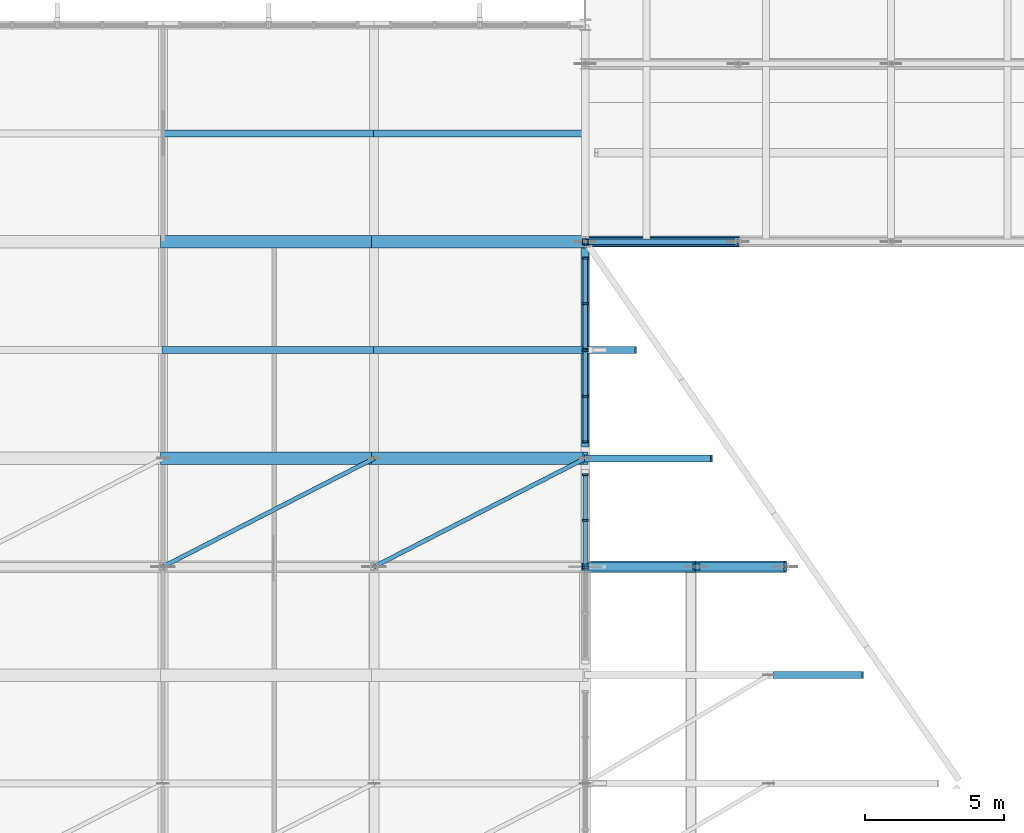
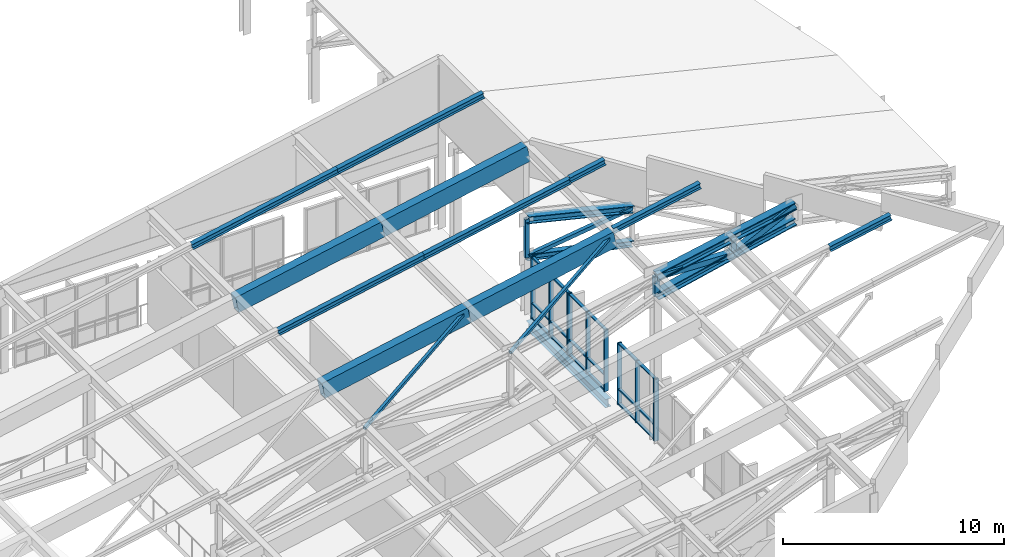
# One storey, part 30 of 73: 49 members, 5 beams, 4 elements without a shape of their own.
"""IFC4 building model written with IfcOpenShell, lengths in metres."""

import ifcopenshell
import ifcopenshell.guid

model = None  # the IFC model being written
_history = None  # IfcOwnerHistory: only IFC2X3 demands one
_inside = {}  # id of a spatial element -> (the spatial element, [elements in it])
_under = {}  # id of a project, library or spatial element -> (it, [spatial elements below it])
_declared = {}  # id of a project -> (the project, [libraries it declares])
_typed = {}  # id of a type object -> (the type object, [elements of that type])
_made_of = {}  # id of a material, layer set ... -> (it, [elements and type objects made of it])


def new_model(schema):
    """Start an empty IFC model of exactly this schema.

    Asked for "IFC4X3", IfcOpenShell would pick the latest addendum, in which some entities
    have other attributes; the version numbers below select the first issue.
    IFC2X3 requires an IfcOwnerHistory on every rooted entity: one is made here for all.
    """
    global model, _history
    if schema == "IFC4X3":
        model = ifcopenshell.file(schema_version=(4, 3, 0, 0))
    else:
        model = ifcopenshell.file(schema=schema)
    _inside.clear()
    _under.clear()
    _declared.clear()
    _typed.clear()
    _made_of.clear()
    _history = None
    if model.schema == "IFC2X3":
        org = make("IfcOrganization", Name="unknown")
        user = make(
            "IfcPersonAndOrganization",
            ThePerson=make("IfcPerson", FamilyName="unknown"),
            TheOrganization=org,
        )
        app = make(
            "IfcApplication",
            ApplicationDeveloper=org,
            Version="unknown",
            ApplicationFullName="unknown",
            ApplicationIdentifier="unknown",
        )
        _history = make(
            "IfcOwnerHistory",
            OwningUser=user,
            OwningApplication=app,
            ChangeAction="ADDED",
            CreationDate=0,
        )
    return model


def make(cls, **values):
    """One entity of the class cls with the attributes given. An attribute that is None is left unset."""
    return model.create_entity(
        cls, **{name: value for name, value in values.items() if value is not None}
    )


def rooted(cls, **values):
    """An entity with a GlobalId (a new one), such as an element, a storey or a relation."""
    return make(cls, GlobalId=ifcopenshell.guid.new(), OwnerHistory=_history, **values)


def si_unit(unit_type, name, prefix=None):
    """IfcSIUnit, for example si_unit("LENGTHUNIT", "METRE", prefix="MILLI")."""
    return make("IfcSIUnit", UnitType=unit_type, Prefix=prefix, Name=name)


def assignment(units):
    """IfcUnitAssignment: the units of a project."""
    return None if units is None else make("IfcUnitAssignment", Units=units)


def point(xyz):
    """IfcCartesianPoint."""
    return None if xyz is None else make("IfcCartesianPoint", Coordinates=xyz)


def direction(xyz):
    """IfcDirection."""
    return None if xyz is None else make("IfcDirection", DirectionRatios=xyz)


def frame(location, z_axis=None, x_axis=None):
    """IfcAxis2Placement3D, a coordinate frame: its origin and axes. An axis left out is left unset."""
    return make(
        "IfcAxis2Placement3D",
        Location=point(location),
        Axis=direction(z_axis),
        RefDirection=direction(x_axis),
    )


def frame_2d(location, x_axis=None):
    """IfcAxis2Placement2D, a coordinate frame in the plane: its origin and x axis."""
    return make(
        "IfcAxis2Placement2D", Location=point(location), RefDirection=direction(x_axis)
    )


def origin():
    """The frame at (0, 0, 0) with its axes left unset."""
    return frame((0.0, 0.0, 0.0))


def origin_2d():
    """The frame at (0, 0) in the plane with its x axis left unset."""
    return frame_2d((0.0, 0.0))


def place(relative_to, where):
    """IfcLocalPlacement: puts the frame where relative to a parent placement (None: the world)."""
    return make(
        "IfcLocalPlacement", PlacementRelTo=relative_to, RelativePlacement=where
    )


def context(
    kind, dimensions, precision=None, world=None, true_north=None, identifier=None
):
    """IfcGeometricRepresentationContext, for example the 3D "Model" context."""
    return make(
        "IfcGeometricRepresentationContext",
        ContextIdentifier=identifier,
        ContextType=kind,
        CoordinateSpaceDimension=dimensions,
        Precision=precision,
        WorldCoordinateSystem=world,
        TrueNorth=true_north,
    )


def subcontext(parent, identifier, kind, view, scale=None):
    """IfcGeometricRepresentationSubContext, for example "Body" below "Model"."""
    return make(
        "IfcGeometricRepresentationSubContext",
        ContextIdentifier=identifier,
        ContextType=kind,
        ParentContext=parent,
        TargetScale=scale,
        TargetView=view,
    )


def project(units=None, contexts=None):
    """IfcProject with its units and contexts."""
    return rooted(
        "IfcProject",
        Name="project",
        RepresentationContexts=contexts,
        UnitsInContext=assignment(units),
    )


def spatial(cls, under=None, at=None, **own):
    """A site, building, storey or space (cls), placed at a placement, below another one or the project."""
    s = rooted(cls, ObjectPlacement=at, **own)
    if under is not None:
        _under.setdefault(under.id(), (under, []))[1].append(s)
    return s


def profile(cls, at=None, kind="AREA", **sizes):
    """A parametric profile (cls). Its sizes go by their IFC names, for example OverallWidth=200.0."""
    return make(cls, ProfileType=kind, Position=at, **sizes)


def rectangle(**sizes):
    """IfcRectangleProfileDef."""
    return profile("IfcRectangleProfileDef", **sizes)


def hollow_rectangle(**sizes):
    """IfcRectangleHollowProfileDef."""
    return profile("IfcRectangleHollowProfileDef", **sizes)


def i_section(**sizes):
    """IfcIShapeProfileDef."""
    return profile("IfcIShapeProfileDef", **sizes)


def extrude(swept, where, along, depth):
    """IfcExtrudedAreaSolid: the profile swept, set in the frame where, extruded along a direction by depth."""
    return make(
        "IfcExtrudedAreaSolid",
        SweptArea=swept,
        Position=where,
        ExtrudedDirection=direction(along),
        Depth=depth,
    )


def shape(context_of_items, identifier, shape_type, items):
    """IfcShapeRepresentation: the items that make up one representation, for example the "Body"."""
    return make(
        "IfcShapeRepresentation",
        ContextOfItems=context_of_items,
        RepresentationIdentifier=identifier,
        RepresentationType=shape_type,
        Items=items,
    )


def material(Name=None, Category=None):
    """IfcMaterial."""
    return make("IfcMaterial", Name=Name, Category=Category)


def material_profile(
    of_material, cross_section, Name=None, Category=None, Priority=None
):
    """IfcMaterialProfile: a cross section and its material."""
    return make(
        "IfcMaterialProfile",
        Name=Name,
        Material=of_material,
        Profile=cross_section,
        Priority=Priority,
        Category=Category,
    )


def profile_set(profiles, Name=None, composite=None):
    """IfcMaterialProfileSet."""
    return make(
        "IfcMaterialProfileSet",
        Name=Name,
        MaterialProfiles=profiles,
        CompositeProfile=composite,
    )


def made_of(thing, what):
    """Note that an element or type object is made of a material, layer set ...; save() writes the relation."""
    if what is not None:
        _made_of.setdefault(what.id(), (what, []))[1].append(thing)
    return thing


def type_object(cls, material=None, **own):
    """A type object (cls), such as IfcWallType, which elements share."""
    return made_of(rooted(cls, **own), material)


def element(
    cls,
    number,
    at=None,
    inside=None,
    cuts=None,
    type_object=None,
    material=None,
    context=None,
    identifier="Body",
    shape_type=None,
    held_by="IfcProductDefinitionShape",
    body=None,
    shapes=None,
    **own,
):
    """One element of the class cls, such as IfcWall. Its Tag is "e" and its number.

    at: its placement. inside: the storey or other place that contains it. cuts: it is an
    opening in that element (IfcRelVoidsElement). A single representation is given by context,
    identifier, shape_type and body (its items); several are given by shapes. held_by: the class
    of the entity that holds the representations. save() writes the other relations.
    """
    e = rooted(cls, Tag="e%d" % number, ObjectPlacement=at, **own)
    if body is not None:
        shapes = [shape(context, identifier, shape_type, body)]
    if shapes is not None:
        e.Representation = make(held_by, Representations=shapes)
    if inside is not None:
        _inside.setdefault(inside.id(), (inside, []))[1].append(e)
    if cuts is not None:
        rooted(
            "IfcRelVoidsElement", RelatingBuildingElement=cuts, RelatedOpeningElement=e
        )
    if type_object is not None:
        _typed.setdefault(type_object.id(), (type_object, []))[1].append(e)
    return made_of(e, material)


def aggregate(whole, parts):
    """IfcRelAggregates: a whole, such as a stair, and the parts it consists of."""
    return rooted("IfcRelAggregates", RelatingObject=whole, RelatedObjects=parts)


def save(model, path):
    """Write the relations noted so far, then the file.

    IfcRelAggregates (storeys below a building ...), IfcRelContainedInSpatialStructure (elements
    in a storey), IfcRelDefinesByType, IfcRelAssociatesMaterial and IfcRelDeclares: one each for
    every whole, place, type object, material and project.
    """
    for whole, parts in _under.values():
        aggregate(whole, parts)
    for where, things in _inside.values():
        rooted(
            "IfcRelContainedInSpatialStructure",
            RelatedElements=things,
            RelatingStructure=where,
        )
    for kind, things in _typed.values():
        rooted("IfcRelDefinesByType", RelatedObjects=things, RelatingType=kind)
    for what, things in _made_of.values():
        rooted("IfcRelAssociatesMaterial", RelatedObjects=things, RelatingMaterial=what)
    for by, libraries in _declared.values():
        rooted("IfcRelDeclares", RelatingContext=by, RelatedDefinitions=libraries)
    model.write(path)


model = new_model("IFC4")

# Units and contexts
model_context = context("Model", 3, precision=1e-05, world=origin(), true_north=direction((0.0, 1.0)))
body_context = subcontext(model_context, "Body", "Model", "MODEL_VIEW")
ifc_project = project(units=[si_unit("LENGTHUNIT", "METRE"), si_unit("AREAUNIT", "SQUARE_METRE"), si_unit("VOLUMEUNIT", "CUBIC_METRE"), si_unit("PLANEANGLEUNIT", "RADIAN"), si_unit("MASSUNIT", "GRAM", prefix="KILO")], contexts=[model_context])

# Site, building, storey
site_placement = place(None, origin())
site = spatial("IfcSite", under=ifc_project, at=site_placement, CompositionType="ELEMENT")
building_placement = place(site_placement, origin())
building = spatial("IfcBuilding", under=site, at=building_placement, Name="Vervanel Yard Central Library", CompositionType="ELEMENT")
storey_placement = place(building_placement, frame((0.0, 0.0, 12.780029296875)))
storey = spatial("IfcBuildingStorey", under=building, at=storey_placement, Name="L03", CompositionType="ELEMENT", Elevation=12.780029296875)

# Members
ifc_material_1 = material(Name="Steel ASTM A992 Grade 50", Category="steel")
ifc_material_profile_1 = material_profile(ifc_material_1, i_section(OverallWidth=0.309814453125, OverallDepth=0.32763671875, WebThickness=0.015380859375, FlangeThickness=0.025146484375, at=origin_2d()), Name="W12X106", Category="steel")
ifc_profile_set_1 = profile_set([ifc_material_profile_1], Name="Steel ASTM A992 Grade 50")
member_type_1 = type_object("IfcMemberType", Name="Auditorium Roof Truss Bottom Chord W12X106", PredefinedType="CHORD", material=ifc_profile_set_1)
member_1_placement = place(storey_placement, frame((146.0, 74.39990234375, 3.0400390625), z_axis=(0.978826877737, 0.0, -0.204689871317), x_axis=(0.0, 1.0, 0.0)))
element("IfcMember", 1, at=member_1_placement, inside=storey, type_object=member_type_1, Name="Auditorium Truss 1 Bottom Chord 1", PredefinedType="CHORD", context=body_context, shape_type="SweptSolid", body=[
    extrude(i_section(OverallWidth=0.309814453125, OverallDepth=0.32763671875, WebThickness=0.015380859375, FlangeThickness=0.025146484375, at=origin_2d()), origin(), (0.0, 0.0, 1.0), 5.618896484375),
])
ifc_material_profile_2 = material_profile(ifc_material_1, i_section(OverallWidth=0.396240234375, OverallDepth=0.381103515625, WebThickness=0.01904296875, FlangeThickness=0.0302734375, at=origin_2d()), Name="W14X159", Category="steel")
ifc_profile_set_2 = profile_set([ifc_material_profile_2], Name="Steel ASTM A992 Grade 50")
member_type_2 = type_object("IfcMemberType", Name="Auditorium Roof Truss Chord W14X159", PredefinedType="CHORD", material=ifc_profile_set_2)
member_2_placement = place(storey_placement, frame((146.0, 74.39990234375, 5.139892578125), z_axis=(0.972188346998, 0.0, -0.234200379934), x_axis=(0.0, 1.0, 0.0)))
element("IfcMember", 2, at=member_2_placement, inside=storey, type_object=member_type_2, Name="Auditorium Truss 1 Top Chord 1", PredefinedType="CHORD", context=body_context, shape_type="SweptSolid", body=[
    extrude(i_section(OverallWidth=0.396240234375, OverallDepth=0.381103515625, WebThickness=0.01904296875, FlangeThickness=0.0302734375, at=origin_2d()), origin(), (0.0, 0.0, 1.0), 5.6572265625),
])
ifc_material_2 = material(Name="Steel ASTM A500 Grade C", Category="steel")
ifc_material_profile_3 = material_profile(ifc_material_2, hollow_rectangle(XDim=0.203125, YDim=0.203125, WallThickness=0.01171875, at=origin_2d()), Name="HSS8X8X1/2", Category="steel")
ifc_profile_set_3 = profile_set([ifc_material_profile_3], Name="Steel ASTM A500 Grade C")
member_type_3 = type_object("IfcMemberType", Name="Auditorium Truss Web Diagonal HSS8X8X1/2", PredefinedType="BRACE", material=ifc_profile_set_3)
member_3_placement = place(storey_placement, frame((146.0, 74.39990234375, 3.0400390625), z_axis=(0.990220177154, 0.0, 0.139513442928), x_axis=(0.0, 1.0, 0.0)))
element("IfcMember", 3, at=member_3_placement, inside=storey, type_object=member_type_3, Name="Auditorium Truss 1 Web Diagonal 1", PredefinedType="BRACE", context=body_context, shape_type="SweptSolid", body=[
    extrude(hollow_rectangle(XDim=0.203125, YDim=0.203125, WallThickness=0.01171875, at=origin_2d()), origin(), (0.0, 0.0, 1.0), 5.55419921875),
])
member_4_placement = place(storey_placement, frame((146.0, 74.39990234375, 3.0400390625), z_axis=(0.0, 0.0, 1.0), x_axis=(1.0, 0.0, 0.0)))
element("IfcMember", 4, at=member_4_placement, inside=storey, type_object=member_type_3, Name="Auditorium Truss 1 Vertical 1", PredefinedType="BRACE", context=body_context, shape_type="SweptSolid", body=[
    extrude(hollow_rectangle(XDim=0.203125, YDim=0.203125, WallThickness=0.01171875, at=origin_2d()), origin(), (0.0, 0.0, 1.0), 2.099853515625),
])

# Beams
ifc_material_3 = material(Name="Concrete C45/55", Category="concrete")
ifc_material_profile_4 = material_profile(ifc_material_3, rectangle(XDim=0.449951171875, YDim=0.89990234375, at=origin_2d()), Name="RC 450x900", Category="concrete")
ifc_profile_set_4 = profile_set([ifc_material_profile_4], Name="Concrete C45/55")
beam_type_1 = type_object("IfcBeamType", Name="Folded Shell Concrete Valley Rib 450x900", PredefinedType="BEAM", material=ifc_profile_set_4)
for number, where, z_axis, x_axis, name in (
    (5, (130.800048828125, 66.60009765625, 5.81103515625), (0.980652097773, 0.0, 0.19575868597), (0.0, 1.0, 0.0), "Folded Shell Valley Rib Bay 6 Y=66.6"),
    (6, (130.800048828125, 74.39990234375, 5.81103515625), (0.980652097773, 0.0, 0.19575868597), (0.0, 1.0, 0.0), "Folded Shell Valley Rib Bay 6 Y=74.4"),
):
    element("IfcBeam", number, at=place(storey_placement, frame(where, z_axis=z_axis, x_axis=x_axis)), inside=storey, type_object=beam_type_1, Name=name, PredefinedType="BEAM", context=body_context, shape_type="SweptSolid", body=[
        extrude(rectangle(XDim=0.449951171875, YDim=0.89990234375, at=origin_2d()), origin(), (0.0, 0.0, 1.0), 7.749755859375),
    ])
for number, where, z_axis, x_axis, name in (
    (7, (138.39990234375, 66.60009765625, 7.328125), (0.980653304953, 0.0, 0.195752638515), (0.0, 1.0, 0.0), "Folded Shell Valley Rib Bay 7 Y=66.6"),
    (8, (138.39990234375, 74.39990234375, 7.328125), (0.980653304953, 0.0, 0.195752638515), (0.0, 1.0, 0.0), "Folded Shell Valley Rib Bay 7 Y=74.4"),
):
    element("IfcBeam", number, at=place(storey_placement, frame(where, z_axis=z_axis, x_axis=x_axis)), inside=storey, type_object=beam_type_1, Name=name, PredefinedType="BEAM", context=body_context, shape_type="SweptSolid", body=[
        extrude(rectangle(XDim=0.449951171875, YDim=0.89990234375, at=origin_2d()), origin(), (0.0, 0.0, 1.0), 7.75),
    ])

# Members
ifc_material_profile_5 = material_profile(ifc_material_1, i_section(OverallWidth=0.4013671875, OverallDepth=0.398681640625, WebThickness=0.02490234375, FlangeThickness=0.03955078125, at=origin_2d()), Name="W14X211", Category="steel")
ifc_profile_set_5 = profile_set([ifc_material_profile_5], Name="Steel ASTM A992 Grade 50")
member_type_4 = type_object("IfcMemberType", Name="Prow Cantilever Truss Bottom Chord W14X211", PredefinedType="CHORD", material=ifc_profile_set_5)
member_5_placement = place(storey_placement, frame((146.0, 62.699951171875, 8.01513671875), z_axis=(0.975166755264, 0.0, 0.221471893087), x_axis=(0.0, 1.0, 0.0)))
element("IfcMember", 9, at=member_5_placement, inside=storey, type_object=member_type_4, Name="Prow Cantilever Truss N Bottom Chord Panel 4", PredefinedType="CHORD", context=body_context, shape_type="SweptSolid", body=[
    extrude(i_section(OverallWidth=0.4013671875, OverallDepth=0.398681640625, WebThickness=0.02490234375, FlangeThickness=0.03955078125, at=origin_2d()), origin(), (0.0, 0.0, 1.0), 4.101806640625),
])
member_6_placement = place(storey_placement, frame((150.0, 62.699951171875, 8.923583984375), z_axis=(0.975690595631, 0.0, 0.219152598881), x_axis=(0.0, 1.0, 0.0)))
element("IfcMember", 10, at=member_6_placement, inside=storey, type_object=member_type_4, Name="Prow Cantilever Truss N Bottom Chord Panel 5", PredefinedType="CHORD", context=body_context, shape_type="SweptSolid", body=[
    extrude(i_section(OverallWidth=0.4013671875, OverallDepth=0.398681640625, WebThickness=0.02490234375, FlangeThickness=0.03955078125, at=origin_2d()), origin(), (0.0, 0.0, 1.0), 3.27978515625),
])
ifc_material_profile_6 = material_profile(ifc_material_1, i_section(OverallWidth=0.406494140625, OverallDepth=0.41650390625, WebThickness=0.030029296875, FlangeThickness=0.048095703125, at=origin_2d()), Name="W14X257", Category="steel")
ifc_profile_set_6 = profile_set([ifc_material_profile_6], Name="Steel ASTM A992 Grade 50")
member_type_5 = type_object("IfcMemberType", Name="Prow Cantilever Truss Top Chord W14X257", PredefinedType="CHORD", material=ifc_profile_set_6)
member_7_placement = place(storey_placement, frame((146.0, 62.699951171875, 9.065185546875), z_axis=(0.980647379069, 0.0, 0.195782322811), x_axis=(0.0, 1.0, 0.0)))
element("IfcMember", 11, at=member_7_placement, inside=storey, type_object=member_type_5, Name="Prow Cantilever Truss N Top Chord Panel 4", PredefinedType="CHORD", context=body_context, shape_type="SweptSolid", body=[
    extrude(i_section(OverallWidth=0.406494140625, OverallDepth=0.41650390625, WebThickness=0.030029296875, FlangeThickness=0.048095703125, at=origin_2d()), origin(), (0.0, 0.0, 1.0), 4.078857421875),
])
member_8_placement = place(storey_placement, frame((150.0, 62.699951171875, 9.86376953125), z_axis=(0.980658295839, 0.0, 0.195727634235), x_axis=(0.0, 1.0, 0.0)))
element("IfcMember", 12, at=member_8_placement, inside=storey, type_object=member_type_5, Name="Prow Cantilever Truss N Top Chord Panel 5", PredefinedType="CHORD", context=body_context, shape_type="SweptSolid", body=[
    extrude(i_section(OverallWidth=0.406494140625, OverallDepth=0.41650390625, WebThickness=0.030029296875, FlangeThickness=0.048095703125, at=origin_2d()), origin(), (0.0, 0.0, 1.0), 3.26318359375),
])
ifc_material_profile_7 = material_profile(ifc_material_2, hollow_rectangle(XDim=0.3046875, YDim=0.3046875, WallThickness=0.0146484375, at=origin_2d()), Name="HSS12X12X5/8", Category="steel")
ifc_profile_set_7 = profile_set([ifc_material_profile_7], Name="Steel ASTM A500 Grade C")
member_type_6 = type_object("IfcMemberType", Name="Prow Truss Web Diagonal HSS12X12X5/8", PredefinedType="BRACE", material=ifc_profile_set_7)
member_9_placement = place(storey_placement, frame((146.0, 62.699951171875, 9.065185546875), z_axis=(0.999373994487, 0.0, -0.035378229785), x_axis=(0.0, 1.0, 0.0)))
element("IfcMember", 13, at=member_9_placement, inside=storey, type_object=member_type_6, Name="Prow Cantilever Truss N Web Diagonal 4", PredefinedType="BRACE", context=body_context, shape_type="SweptSolid", body=[
    extrude(hollow_rectangle(XDim=0.3046875, YDim=0.3046875, WallThickness=0.0146484375, at=origin_2d()), origin(), (0.0, 0.0, 1.0), 4.00244140625),
])
member_10_placement = place(storey_placement, frame((150.0, 62.699951171875, 8.923583984375), z_axis=(0.896781994157, 0.0, 0.442472660122), x_axis=(0.0, 1.0, 0.0)))
element("IfcMember", 14, at=member_10_placement, inside=storey, type_object=member_type_6, Name="Prow Cantilever Truss N Web Diagonal 5", PredefinedType="BRACE", context=body_context, shape_type="SweptSolid", body=[
    extrude(hollow_rectangle(XDim=0.3046875, YDim=0.3046875, WallThickness=0.0146484375, at=origin_2d()), origin(), (0.0, 0.0, 1.0), 3.568359375),
])
ifc_material_profile_8 = material_profile(ifc_material_2, hollow_rectangle(XDim=0.25390625, YDim=0.25390625, WallThickness=0.01171875, at=origin_2d()), Name="HSS10X10X1/2", Category="steel")
ifc_profile_set_8 = profile_set([ifc_material_profile_8], Name="Steel ASTM A500 Grade C")
member_type_7 = type_object("IfcMemberType", Name="Prow Truss Web Vertical HSS10X10X1/2", PredefinedType="BRACE", material=ifc_profile_set_8)
member_11_placement = place(storey_placement, frame((146.0, 62.699951171875, 8.01513671875), z_axis=(0.0, 0.0, 1.0), x_axis=(1.0, 0.0, 0.0)))
element("IfcMember", 15, at=member_11_placement, inside=storey, type_object=member_type_7, Name="Prow Cantilever Truss N Vertical 4", PredefinedType="BRACE", context=body_context, shape_type="SweptSolid", body=[
    extrude(hollow_rectangle(XDim=0.25390625, YDim=0.25390625, WallThickness=0.01171875, at=origin_2d()), origin(), (0.0, 0.0, 1.0), 1.050048828125),
])
member_12_placement = place(storey_placement, frame((150.0, 62.699951171875, 8.923583984375), z_axis=(0.0, 0.0, 1.0), x_axis=(1.0, 0.0, 0.0)))
element("IfcMember", 16, at=member_12_placement, inside=storey, type_object=member_type_7, Name="Prow Cantilever Truss N Vertical 5", PredefinedType="BRACE", context=body_context, shape_type="SweptSolid", body=[
    extrude(hollow_rectangle(XDim=0.25390625, YDim=0.25390625, WallThickness=0.01171875, at=origin_2d()), origin(), (0.0, 0.0, 1.0), 0.940185546875),
])

# Curtain wall, member
ifc_material_4 = material(Name="Thermally broken anodized aluminium 6063-T6", Category="aluminium")
curtain_wall_type = type_object("IfcCurtainWallType", Name="Prow Cantilever Glazed Curtain Wall", PredefinedType="NOTDEFINED", material=ifc_material_4)
curtain_wall_1_placement = place(storey_placement, origin())
curtain_wall_1 = element("IfcCurtainWall", 17, at=curtain_wall_1_placement, inside=storey, type_object=curtain_wall_type, Name="L03 Prow Cantilever Glazed Curtain Wall CWR-L03-144", PredefinedType="NOTDEFINED")
ifc_material_profile_9 = material_profile(ifc_material_4, rectangle(XDim=0.070068359375, YDim=0.219970703125, at=origin_2d()), Name="ALU 70x220", Category="aluminium")
ifc_profile_set_9 = profile_set([ifc_material_profile_9], Name="Thermally broken anodized aluminium 6063-T6")
member_type_8 = type_object("IfcMemberType", Name="Reading Hall Deep Mullion 70x220", PredefinedType="MULLION", material=ifc_profile_set_9)
member_13_placement = place(storey_placement, frame((146.0, 62.6650390625, 0.0), z_axis=(0.0, 0.0, 1.0), x_axis=(0.0, 1.0, 0.0)))
member_13 = element("IfcMember", 18, at=member_13_placement, type_object=member_type_8, Name="CWR-L03-144 Mullion 3", PredefinedType="MULLION", context=body_context, shape_type="SweptSolid", body=[
    extrude(rectangle(XDim=0.070068359375, YDim=0.219970703125, at=origin_2d()), origin(), (0.0, 0.0, 1.0), 3.39990234375),
])
aggregate(curtain_wall_1, [member_13])

# Curtain wall, members
curtain_wall_2_placement = place(storey_placement, origin())
curtain_wall_2 = element("IfcCurtainWall", 19, at=curtain_wall_2_placement, inside=storey, type_object=curtain_wall_type, Name="L03 Prow Cantilever Glazed Curtain Wall CWR-L03-145", PredefinedType="NOTDEFINED")
member_14_placement = place(storey_placement, frame((146.0, 62.735107421875, 0.0), z_axis=(0.0, 0.0, 1.0), x_axis=(0.0, 1.0, 0.0)))
member_14 = element("IfcMember", 20, at=member_14_placement, type_object=member_type_8, Name="CWR-L03-145 Mullion 1", PredefinedType="MULLION", context=body_context, shape_type="SweptSolid", body=[
    extrude(rectangle(XDim=0.070068359375, YDim=0.219970703125, at=origin_2d()), origin(), (0.0, 0.0, 1.0), 3.39990234375),
])
member_15_placement = place(storey_placement, frame((146.0, 64.3701171875, 0.0), z_axis=(0.0, 0.0, 1.0), x_axis=(0.0, 1.0, 0.0)))
member_15 = element("IfcMember", 21, at=member_15_placement, type_object=member_type_8, Name="CWR-L03-145 Mullion 2", PredefinedType="MULLION", context=body_context, shape_type="SweptSolid", body=[
    extrude(rectangle(XDim=0.070068359375, YDim=0.219970703125, at=origin_2d()), origin(), (0.0, 0.0, 1.0), 3.39990234375),
])
member_16_placement = place(storey_placement, frame((146.0, 66.0048828125, 0.0), z_axis=(0.0, 0.0, 1.0), x_axis=(0.0, 1.0, 0.0)))
member_16 = element("IfcMember", 22, at=member_16_placement, type_object=member_type_8, Name="CWR-L03-145 Mullion 3", PredefinedType="MULLION", context=body_context, shape_type="SweptSolid", body=[
    extrude(rectangle(XDim=0.070068359375, YDim=0.219970703125, at=origin_2d()), origin(), (0.0, 0.0, 1.0), 3.39990234375),
])

curtain_wall_3_placement = place(storey_placement, origin())
curtain_wall_3 = element("IfcCurtainWall", 23, at=curtain_wall_3_placement, inside=storey, type_object=curtain_wall_type, Name="L03 Prow Cantilever Glazed Curtain Wall CWR-L03-146", PredefinedType="NOTDEFINED")
member_17_placement = place(storey_placement, frame((146.0, 67.195068359375, 0.0), z_axis=(0.0, 0.0, 1.0), x_axis=(0.0, 1.0, 0.0)))
member_17 = element("IfcMember", 24, at=member_17_placement, type_object=member_type_8, Name="CWR-L03-146 Mullion 1", PredefinedType="MULLION", context=body_context, shape_type="SweptSolid", body=[
    extrude(rectangle(XDim=0.070068359375, YDim=0.219970703125, at=origin_2d()), origin(), (0.0, 0.0, 1.0), 3.39990234375),
])
member_18_placement = place(storey_placement, frame((146.0, 68.830078125, 0.0), z_axis=(0.0, 0.0, 1.0), x_axis=(0.0, 1.0, 0.0)))
member_18 = element("IfcMember", 25, at=member_18_placement, type_object=member_type_8, Name="CWR-L03-146 Mullion 2", PredefinedType="MULLION", context=body_context, shape_type="SweptSolid", body=[
    extrude(rectangle(XDim=0.070068359375, YDim=0.219970703125, at=origin_2d()), origin(), (0.0, 0.0, 1.0), 3.39990234375),
])
member_19_placement = place(storey_placement, frame((146.0, 70.465087890625, 0.0), z_axis=(0.0, 0.0, 1.0), x_axis=(0.0, 1.0, 0.0)))
member_19 = element("IfcMember", 26, at=member_19_placement, type_object=member_type_8, Name="CWR-L03-146 Mullion 3", PredefinedType="MULLION", context=body_context, shape_type="SweptSolid", body=[
    extrude(rectangle(XDim=0.070068359375, YDim=0.219970703125, at=origin_2d()), origin(), (0.0, 0.0, 1.0), 3.39990234375),
])

curtain_wall_4_placement = place(storey_placement, origin())
curtain_wall_4 = element("IfcCurtainWall", 27, at=curtain_wall_4_placement, inside=storey, type_object=curtain_wall_type, Name="L03 Prow Cantilever Glazed Curtain Wall CWR-L03-147", PredefinedType="NOTDEFINED")
member_20_placement = place(storey_placement, frame((146.0, 70.534912109375, 0.0), z_axis=(0.0, 0.0, 1.0), x_axis=(0.0, 1.0, 0.0)))
member_20 = element("IfcMember", 28, at=member_20_placement, type_object=member_type_8, Name="CWR-L03-147 Mullion 1", PredefinedType="MULLION", context=body_context, shape_type="SweptSolid", body=[
    extrude(rectangle(XDim=0.070068359375, YDim=0.219970703125, at=origin_2d()), origin(), (0.0, 0.0, 1.0), 3.39990234375),
])
member_21_placement = place(storey_placement, frame((146.0, 72.169921875, 0.0), z_axis=(0.0, 0.0, 1.0), x_axis=(0.0, 1.0, 0.0)))
member_21 = element("IfcMember", 29, at=member_21_placement, type_object=member_type_8, Name="CWR-L03-147 Mullion 2", PredefinedType="MULLION", context=body_context, shape_type="SweptSolid", body=[
    extrude(rectangle(XDim=0.070068359375, YDim=0.219970703125, at=origin_2d()), origin(), (0.0, 0.0, 1.0), 3.39990234375),
])
member_22_placement = place(storey_placement, frame((146.0, 73.804931640625, 0.0), z_axis=(0.0, 0.0, 1.0), x_axis=(0.0, 1.0, 0.0)))
member_22 = element("IfcMember", 30, at=member_22_placement, type_object=member_type_8, Name="CWR-L03-147 Mullion 3", PredefinedType="MULLION", context=body_context, shape_type="SweptSolid", body=[
    extrude(rectangle(XDim=0.070068359375, YDim=0.219970703125, at=origin_2d()), origin(), (0.0, 0.0, 1.0), 3.39990234375),
])

# Member
ifc_material_profile_10 = material_profile(ifc_material_4, rectangle(XDim=0.070068359375, YDim=0.14990234375, at=origin_2d()), Name="ALU 70x150", Category="aluminium")
ifc_profile_set_10 = profile_set([ifc_material_profile_10], Name="Thermally broken anodized aluminium 6063-T6")
member_type_9 = type_object("IfcMemberType", Name="Reading Hall Deep Transom 70x150", PredefinedType="NOTDEFINED", material=ifc_profile_set_10)
member_23_placement = place(storey_placement, frame((146.0, 62.77001953125, 0.034912109375), z_axis=(0.0, 1.0, 0.0), x_axis=(0.0, 0.0, 1.0)))
member_23 = element("IfcMember", 31, at=member_23_placement, type_object=member_type_9, Name="CWR-L03-145 Transom B1-T1", ObjectType="TRANSOM", PredefinedType="USERDEFINED", context=body_context, shape_type="SweptSolid", body=[
    extrude(rectangle(XDim=0.070068359375, YDim=0.14990234375, at=origin_2d()), origin(), (0.0, 0.0, 1.0), 1.56494140625),
])

member_24_placement = place(storey_placement, frame((146.0, 62.77001953125, 0.849853515625), z_axis=(0.0, 1.0, 0.0), x_axis=(0.0, 0.0, 1.0)))
member_24 = element("IfcMember", 32, at=member_24_placement, type_object=member_type_9, Name="CWR-L03-145 Transom B1-T2", ObjectType="TRANSOM", PredefinedType="USERDEFINED", context=body_context, shape_type="SweptSolid", body=[
    extrude(rectangle(XDim=0.070068359375, YDim=0.14990234375, at=origin_2d()), origin(), (0.0, 0.0, 1.0), 1.56494140625),
])

member_25_placement = place(storey_placement, frame((146.0, 62.77001953125, 3.364990234375), z_axis=(0.0, 1.0, 0.0), x_axis=(0.0, 0.0, 1.0)))
member_25 = element("IfcMember", 33, at=member_25_placement, type_object=member_type_9, Name="CWR-L03-145 Transom B1-T3", ObjectType="TRANSOM", PredefinedType="USERDEFINED", context=body_context, shape_type="SweptSolid", body=[
    extrude(rectangle(XDim=0.070068359375, YDim=0.14990234375, at=origin_2d()), origin(), (0.0, 0.0, 1.0), 1.56494140625),
])

member_26_placement = place(storey_placement, frame((146.0, 64.405029296875, 0.034912109375), z_axis=(0.0, 1.0, 0.0), x_axis=(0.0, 0.0, 1.0)))
member_26 = element("IfcMember", 34, at=member_26_placement, type_object=member_type_9, Name="CWR-L03-145 Transom B2-T1", ObjectType="TRANSOM", PredefinedType="USERDEFINED", context=body_context, shape_type="SweptSolid", body=[
    extrude(rectangle(XDim=0.070068359375, YDim=0.14990234375, at=origin_2d()), origin(), (0.0, 0.0, 1.0), 1.56494140625),
])

member_27_placement = place(storey_placement, frame((146.0, 64.405029296875, 0.849853515625), z_axis=(0.0, 1.0, 0.0), x_axis=(0.0, 0.0, 1.0)))
member_27 = element("IfcMember", 35, at=member_27_placement, type_object=member_type_9, Name="CWR-L03-145 Transom B2-T2", ObjectType="TRANSOM", PredefinedType="USERDEFINED", context=body_context, shape_type="SweptSolid", body=[
    extrude(rectangle(XDim=0.070068359375, YDim=0.14990234375, at=origin_2d()), origin(), (0.0, 0.0, 1.0), 1.56494140625),
])

member_28_placement = place(storey_placement, frame((146.0, 64.405029296875, 3.364990234375), z_axis=(0.0, 1.0, 0.0), x_axis=(0.0, 0.0, 1.0)))
member_28 = element("IfcMember", 36, at=member_28_placement, type_object=member_type_9, Name="CWR-L03-145 Transom B2-T3", ObjectType="TRANSOM", PredefinedType="USERDEFINED", context=body_context, shape_type="SweptSolid", body=[
    extrude(rectangle(XDim=0.070068359375, YDim=0.14990234375, at=origin_2d()), origin(), (0.0, 0.0, 1.0), 1.56494140625),
])

aggregate(curtain_wall_2, [member_14, member_15, member_16, member_23, member_24, member_25, member_26, member_27, member_28])

member_29_placement = place(storey_placement, frame((146.0, 67.22998046875, 0.034912109375), z_axis=(0.0, 1.0, 0.0), x_axis=(0.0, 0.0, 1.0)))
member_29 = element("IfcMember", 37, at=member_29_placement, type_object=member_type_9, Name="CWR-L03-146 Transom B1-T1", ObjectType="TRANSOM", PredefinedType="USERDEFINED", context=body_context, shape_type="SweptSolid", body=[
    extrude(rectangle(XDim=0.070068359375, YDim=0.14990234375, at=origin_2d()), origin(), (0.0, 0.0, 1.0), 1.56494140625),
])

member_30_placement = place(storey_placement, frame((146.0, 67.22998046875, 0.849853515625), z_axis=(0.0, 1.0, 0.0), x_axis=(0.0, 0.0, 1.0)))
member_30 = element("IfcMember", 38, at=member_30_placement, type_object=member_type_9, Name="CWR-L03-146 Transom B1-T2", ObjectType="TRANSOM", PredefinedType="USERDEFINED", context=body_context, shape_type="SweptSolid", body=[
    extrude(rectangle(XDim=0.070068359375, YDim=0.14990234375, at=origin_2d()), origin(), (0.0, 0.0, 1.0), 1.56494140625),
])

member_31_placement = place(storey_placement, frame((146.0, 67.22998046875, 3.364990234375), z_axis=(0.0, 1.0, 0.0), x_axis=(0.0, 0.0, 1.0)))
member_31 = element("IfcMember", 39, at=member_31_placement, type_object=member_type_9, Name="CWR-L03-146 Transom B1-T3", ObjectType="TRANSOM", PredefinedType="USERDEFINED", context=body_context, shape_type="SweptSolid", body=[
    extrude(rectangle(XDim=0.070068359375, YDim=0.14990234375, at=origin_2d()), origin(), (0.0, 0.0, 1.0), 1.56494140625),
])

member_32_placement = place(storey_placement, frame((146.0, 68.864990234375, 0.034912109375), z_axis=(0.0, 1.0, 0.0), x_axis=(0.0, 0.0, 1.0)))
member_32 = element("IfcMember", 40, at=member_32_placement, type_object=member_type_9, Name="CWR-L03-146 Transom B2-T1", ObjectType="TRANSOM", PredefinedType="USERDEFINED", context=body_context, shape_type="SweptSolid", body=[
    extrude(rectangle(XDim=0.070068359375, YDim=0.14990234375, at=origin_2d()), origin(), (0.0, 0.0, 1.0), 1.56494140625),
])

member_33_placement = place(storey_placement, frame((146.0, 68.864990234375, 0.849853515625), z_axis=(0.0, 1.0, 0.0), x_axis=(0.0, 0.0, 1.0)))
member_33 = element("IfcMember", 41, at=member_33_placement, type_object=member_type_9, Name="CWR-L03-146 Transom B2-T2", ObjectType="TRANSOM", PredefinedType="USERDEFINED", context=body_context, shape_type="SweptSolid", body=[
    extrude(rectangle(XDim=0.070068359375, YDim=0.14990234375, at=origin_2d()), origin(), (0.0, 0.0, 1.0), 1.56494140625),
])

member_34_placement = place(storey_placement, frame((146.0, 68.864990234375, 3.364990234375), z_axis=(0.0, 1.0, 0.0), x_axis=(0.0, 0.0, 1.0)))
member_34 = element("IfcMember", 42, at=member_34_placement, type_object=member_type_9, Name="CWR-L03-146 Transom B2-T3", ObjectType="TRANSOM", PredefinedType="USERDEFINED", context=body_context, shape_type="SweptSolid", body=[
    extrude(rectangle(XDim=0.070068359375, YDim=0.14990234375, at=origin_2d()), origin(), (0.0, 0.0, 1.0), 1.56494140625),
])

aggregate(curtain_wall_3, [member_17, member_18, member_19, member_29, member_30, member_31, member_32, member_33, member_34])

member_35_placement = place(storey_placement, frame((146.0, 70.570068359375, 0.034912109375), z_axis=(0.0, 1.0, 0.0), x_axis=(0.0, 0.0, 1.0)))
member_35 = element("IfcMember", 43, at=member_35_placement, type_object=member_type_9, Name="CWR-L03-147 Transom B1-T1", ObjectType="TRANSOM", PredefinedType="USERDEFINED", context=body_context, shape_type="SweptSolid", body=[
    extrude(rectangle(XDim=0.070068359375, YDim=0.14990234375, at=origin_2d()), origin(), (0.0, 0.0, 1.0), 1.56494140625),
])

member_36_placement = place(storey_placement, frame((146.0, 70.570068359375, 0.849853515625), z_axis=(0.0, 1.0, 0.0), x_axis=(0.0, 0.0, 1.0)))
member_36 = element("IfcMember", 44, at=member_36_placement, type_object=member_type_9, Name="CWR-L03-147 Transom B1-T2", ObjectType="TRANSOM", PredefinedType="USERDEFINED", context=body_context, shape_type="SweptSolid", body=[
    extrude(rectangle(XDim=0.070068359375, YDim=0.14990234375, at=origin_2d()), origin(), (0.0, 0.0, 1.0), 1.56494140625),
])

member_37_placement = place(storey_placement, frame((146.0, 70.570068359375, 3.364990234375), z_axis=(0.0, 1.0, 0.0), x_axis=(0.0, 0.0, 1.0)))
member_37 = element("IfcMember", 45, at=member_37_placement, type_object=member_type_9, Name="CWR-L03-147 Transom B1-T3", ObjectType="TRANSOM", PredefinedType="USERDEFINED", context=body_context, shape_type="SweptSolid", body=[
    extrude(rectangle(XDim=0.070068359375, YDim=0.14990234375, at=origin_2d()), origin(), (0.0, 0.0, 1.0), 1.56494140625),
])

member_38_placement = place(storey_placement, frame((146.0, 72.205078125, 0.034912109375), z_axis=(0.0, 1.0, 0.0), x_axis=(0.0, 0.0, 1.0)))
member_38 = element("IfcMember", 46, at=member_38_placement, type_object=member_type_9, Name="CWR-L03-147 Transom B2-T1", ObjectType="TRANSOM", PredefinedType="USERDEFINED", context=body_context, shape_type="SweptSolid", body=[
    extrude(rectangle(XDim=0.070068359375, YDim=0.14990234375, at=origin_2d()), origin(), (0.0, 0.0, 1.0), 1.56494140625),
])

member_39_placement = place(storey_placement, frame((146.0, 72.205078125, 0.849853515625), z_axis=(0.0, 1.0, 0.0), x_axis=(0.0, 0.0, 1.0)))
member_39 = element("IfcMember", 47, at=member_39_placement, type_object=member_type_9, Name="CWR-L03-147 Transom B2-T2", ObjectType="TRANSOM", PredefinedType="USERDEFINED", context=body_context, shape_type="SweptSolid", body=[
    extrude(rectangle(XDim=0.070068359375, YDim=0.14990234375, at=origin_2d()), origin(), (0.0, 0.0, 1.0), 1.56494140625),
])

member_40_placement = place(storey_placement, frame((146.0, 72.205078125, 3.364990234375), z_axis=(0.0, 1.0, 0.0), x_axis=(0.0, 0.0, 1.0)))
member_40 = element("IfcMember", 48, at=member_40_placement, type_object=member_type_9, Name="CWR-L03-147 Transom B2-T3", ObjectType="TRANSOM", PredefinedType="USERDEFINED", context=body_context, shape_type="SweptSolid", body=[
    extrude(rectangle(XDim=0.070068359375, YDim=0.14990234375, at=origin_2d()), origin(), (0.0, 0.0, 1.0), 1.56494140625),
])

aggregate(curtain_wall_4, [member_20, member_21, member_22, member_35, member_36, member_37, member_38, member_39, member_40])

# Members
ifc_material_profile_11 = material_profile(ifc_material_2, hollow_rectangle(XDim=0.15234375, YDim=0.15234375, WallThickness=0.0087890625, at=origin_2d()), Name="HSS6X6X3/8", Category="steel")
ifc_profile_set_11 = profile_set([ifc_material_profile_11], Name="Steel ASTM A500 Grade C")
member_type_10 = type_object("IfcMemberType", Name="Roof Diaphragm Plan Brace HSS6X6X3/8", PredefinedType="BRACE", material=ifc_profile_set_11)
member_41_placement = place(storey_placement, frame((130.800048828125, 62.699951171875, 5.9912109375), z_axis=(0.875977367476, 0.449540250102, 0.174863418725), x_axis=(-0.45657483559, 0.889685011398, 0.0)))
element("IfcMember", 49, at=member_41_placement, inside=storey, type_object=member_type_10, Name="Shell Diaphragm Plan Brace B6-5", PredefinedType="BRACE", context=body_context, shape_type="SweptSolid", body=[
    extrude(hollow_rectangle(XDim=0.15234375, YDim=0.15234375, WallThickness=0.0087890625, at=origin_2d()), origin(), (0.0, 0.0, 1.0), 8.67578125),
])
member_42_placement = place(storey_placement, frame((138.39990234375, 62.699951171875, 7.50830078125), z_axis=(0.875988224368, 0.449531380799, 0.174831829039), x_axis=(-0.45656322619, 0.889690969096, 0.0)))
element("IfcMember", 50, at=member_42_placement, inside=storey, type_object=member_type_10, Name="Shell Diaphragm Plan Brace B7-5", PredefinedType="BRACE", context=body_context, shape_type="SweptSolid", body=[
    extrude(hollow_rectangle(XDim=0.15234375, YDim=0.15234375, WallThickness=0.0087890625, at=origin_2d()), origin(), (0.0, 0.0, 1.0), 8.676025390625),
])
ifc_material_profile_12 = material_profile(ifc_material_1, i_section(OverallWidth=0.25390625, OverallDepth=0.307373046875, WebThickness=0.0087890625, FlangeThickness=0.0146484375, at=origin_2d()), Name="W12X53", Category="steel")
ifc_profile_set_12 = profile_set([ifc_material_profile_12], Name="Steel ASTM A992 Grade 50")
member_type_11 = type_object("IfcMemberType", Name="Shell Roof Purlin W12X53", PredefinedType="PURLIN", material=ifc_profile_set_12)
for number, where, z_axis, x_axis, name in (
    (51, (130.800048828125, 70.5, 6.5830078125), (0.980658144981, 0.0, 0.195728390079), (0.0, 1.0, 0.0), "Shell Ridge Purlin Bay 6 Y=70.5"),
    (52, (130.800048828125, 78.300048828125, 6.5830078125), (0.980658144981, 0.0, 0.195728390079), (0.0, 1.0, 0.0), "Shell Ridge Purlin Bay 6 Y=78.3"),
):
    element("IfcMember", number, at=place(storey_placement, frame(where, z_axis=z_axis, x_axis=x_axis)), inside=storey, type_object=member_type_11, Name=name, PredefinedType="PURLIN", context=body_context, shape_type="SweptSolid", body=[
        extrude(i_section(OverallWidth=0.25390625, OverallDepth=0.307373046875, WebThickness=0.0087890625, FlangeThickness=0.0146484375, at=origin_2d()), origin(), (0.0, 0.0, 1.0), 7.749755859375),
    ])
for number, where, z_axis, x_axis, name in (
    (53, (138.39990234375, 70.5, 8.099853515625), (0.980653304953, 0.0, 0.195752638515), (0.0, 1.0, 0.0), "Shell Ridge Purlin Bay 7 Y=70.5"),
    (54, (138.39990234375, 78.300048828125, 8.099853515625), (0.980653304953, 0.0, 0.195752638515), (0.0, 1.0, 0.0), "Shell Ridge Purlin Bay 7 Y=78.3"),
):
    element("IfcMember", number, at=place(storey_placement, frame(where, z_axis=z_axis, x_axis=x_axis)), inside=storey, type_object=member_type_11, Name=name, PredefinedType="PURLIN", context=body_context, shape_type="SweptSolid", body=[
        extrude(i_section(OverallWidth=0.25390625, OverallDepth=0.307373046875, WebThickness=0.0087890625, FlangeThickness=0.0146484375, at=origin_2d()), origin(), (0.0, 0.0, 1.0), 7.75),
    ])
member_43_placement = place(storey_placement, frame((146.0, 66.60009765625, 9.2353515625), z_axis=(0.98065362494, 0.0, 0.19575103548), x_axis=(0.0, 1.0, 0.0)))
element("IfcMember", 55, at=member_43_placement, inside=storey, type_object=member_type_11, Name="Prow Shell Valley Purlin Bay 8 Y=66.6", PredefinedType="PURLIN", context=body_context, shape_type="SweptSolid", body=[
    extrude(i_section(OverallWidth=0.25390625, OverallDepth=0.307373046875, WebThickness=0.0087890625, FlangeThickness=0.0146484375, at=origin_2d()), origin(), (0.0, 0.0, 1.0), 4.629638671875),
])
member_44_placement = place(storey_placement, frame((146.0, 70.5, 9.6669921875), z_axis=(0.980656492731, 0.0, 0.195736668167), x_axis=(0.0, 1.0, 0.0)))
element("IfcMember", 56, at=member_44_placement, inside=storey, type_object=member_type_11, Name="Shell Ridge Purlin Bay 8 Y=70.5", PredefinedType="PURLIN", context=body_context, shape_type="SweptSolid", body=[
    extrude(i_section(OverallWidth=0.25390625, OverallDepth=0.307373046875, WebThickness=0.0087890625, FlangeThickness=0.0146484375, at=origin_2d()), origin(), (0.0, 0.0, 1.0), 1.85595703125),
])
member_45_placement = place(storey_placement, frame((152.800048828125, 58.800048828125, 10.592529296875), z_axis=(0.980653003168, 0.0, 0.195754150345), x_axis=(0.0, 1.0, 0.0)))
element("IfcMember", 57, at=member_45_placement, inside=storey, type_object=member_type_11, Name="Prow Shell Valley Purlin Bay 9 Y=58.8", PredefinedType="PURLIN", context=body_context, shape_type="SweptSolid", body=[
    extrude(i_section(OverallWidth=0.25390625, OverallDepth=0.307373046875, WebThickness=0.0087890625, FlangeThickness=0.0146484375, at=origin_2d()), origin(), (0.0, 0.0, 1.0), 3.24267578125),
])

# Beam
ifc_material_profile_13 = material_profile(ifc_material_1, i_section(OverallWidth=0.281982421875, OverallDepth=0.46728515625, WebThickness=0.01220703125, FlangeThickness=0.01953125, at=origin_2d()), Name="W18X86", Category="steel")
ifc_profile_set_13 = profile_set([ifc_material_profile_13], Name="Steel ASTM A992 Grade 50")
beam_type_2 = type_object("IfcBeamType", Name="Steel Spandrel Beam W18X86", PredefinedType="SPANDREL", material=ifc_profile_set_13)
beam_placement = place(storey_placement, frame((146.0, 67.0, -0.548828125), z_axis=(0.0, 1.0, 0.0), x_axis=(-1.0, 0.0, 0.0)))
element("IfcBeam", 58, at=beam_placement, inside=storey, type_object=beam_type_2, Name="L03 Girder SP-02 X=146.0 Y=66.6-74.4", PredefinedType="SPANDREL", context=body_context, shape_type="SweptSolid", body=[
    extrude(i_section(OverallWidth=0.281982421875, OverallDepth=0.46728515625, WebThickness=0.01220703125, FlangeThickness=0.01953125, at=origin_2d()), origin(), (0.0, 0.0, 1.0), 7.191650390625),
])

save(model, "model.ifc")
